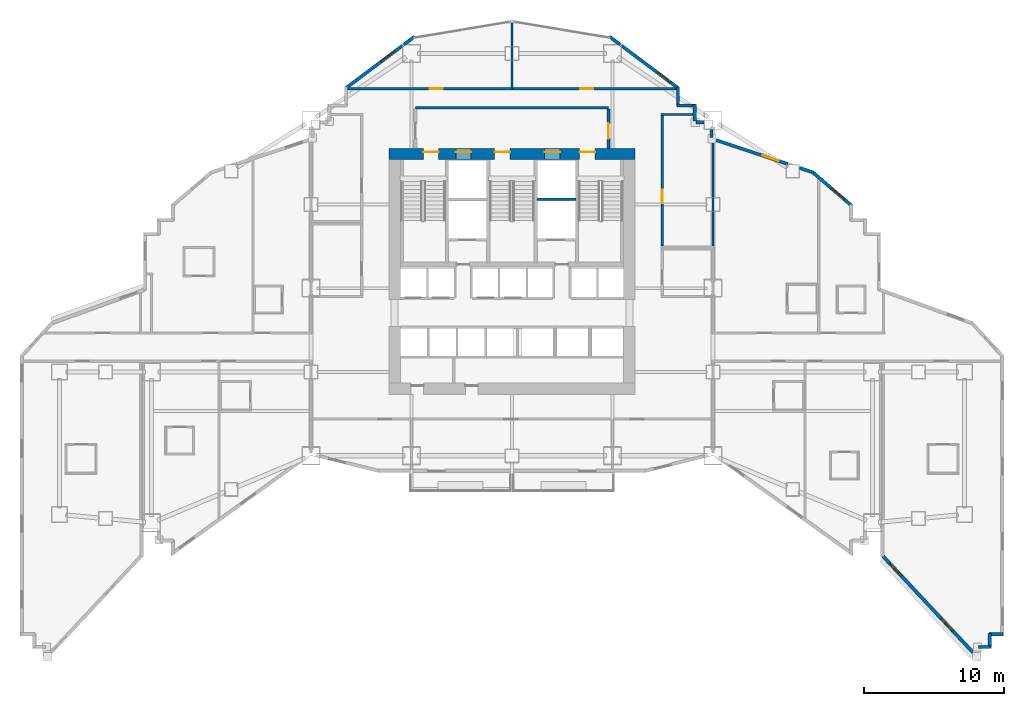
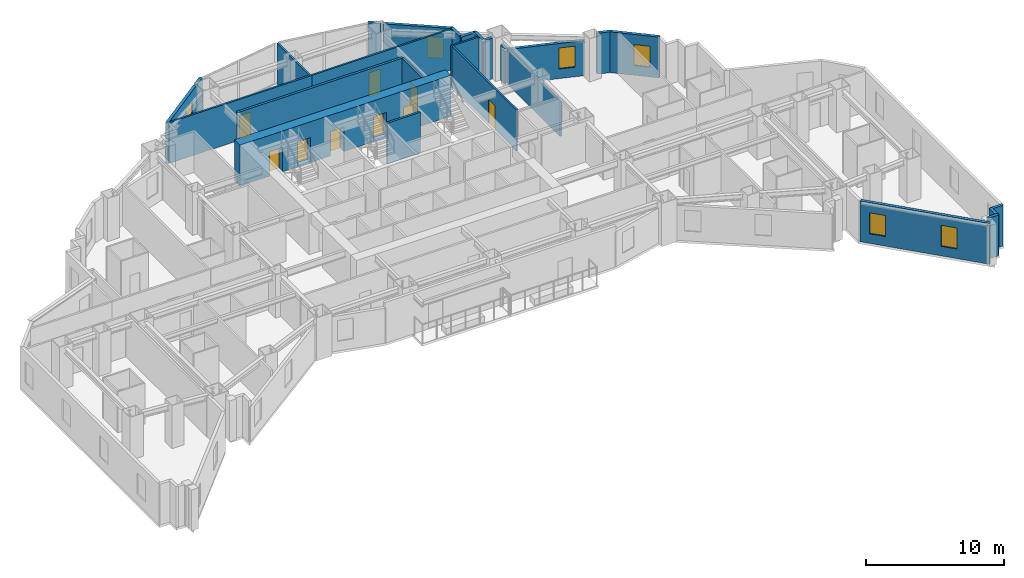
# One storey, part 11 of 17: 26 walls, 9 doors, 6 windows, 15 openings.
"""IFC4 building model written with IfcOpenShell, lengths in metres."""

from ifc_helpers import new_model, si_unit, direction, frame, frame_2d, origin, place, context, subcontext, project, spatial, rectangle, extrude, material, layer, layer_set, type_object, element, fill, save


model = new_model("IFC4")

# Units and contexts
model_context = context("Model", 3, precision=1e-05, world=origin(), true_north=direction((0.0, 1.0)))
body_context = subcontext(model_context, "Body", "Model", "MODEL_VIEW")
ifc_project = project(units=[si_unit("LENGTHUNIT", "METRE"), si_unit("AREAUNIT", "SQUARE_METRE"), si_unit("VOLUMEUNIT", "CUBIC_METRE"), si_unit("PLANEANGLEUNIT", "RADIAN"), si_unit("MASSUNIT", "GRAM", prefix="KILO")], contexts=[model_context])

# Site, building, storey
site_placement = place(None, origin())
site = spatial("IfcSite", under=ifc_project, at=site_placement, CompositionType="ELEMENT")
building_placement = place(site_placement, origin())
building = spatial("IfcBuilding", under=site, at=building_placement, Name="Haolan Belvedere Tower", CompositionType="ELEMENT")
storey_placement = place(building_placement, frame((0.0, 0.0, 27.800048828125)))
storey = spatial("IfcBuildingStorey", under=building, at=storey_placement, Name="L06", CompositionType="ELEMENT", Elevation=27.800048828125)

# Wall, openings, doors
ifc_material_1 = material(Name="Concrete C70/85", Category="concrete")
ifc_layer_1 = layer(ifc_material_1, 0.800048828125, Name="Concrete C70/85")
ifc_layer_set_1 = layer_set([ifc_layer_1], Name="Concrete C70/85")
wall_type_1 = type_object("IfcWallType", Name="WL-CORE-800", PredefinedType="SHEAR", material=ifc_layer_set_1)
wall_1_placement = place(storey_placement, frame((29.60009765625, 43.199951171875, 0.0), z_axis=(0.0, 0.0, 1.0), x_axis=(1.0, 0.0, 0.0)))
wall_1 = element("IfcWall", 1, at=wall_1_placement, inside=storey, type_object=wall_type_1, Name="L06 central core north shear wall", PredefinedType="SHEAR", context=body_context, shape_type="SweptSolid", body=[
    extrude(rectangle(XDim=17.599853515625, YDim=0.800048828125, at=frame_2d((8.7998046875, 0.0))), origin(), (0.0, 0.0, 1.0), 3.599853515625),
])
opening_1_placement = place(wall_1_placement, frame((2.449951171875, 0.0, 0.0)))
opening_1 = element("IfcOpeningElement", 2, at=opening_1_placement, cuts=wall_1, Name="Opening FD-03", PredefinedType="OPENING", context=body_context, shape_type="SweptSolid", body=[
    extrude(rectangle(XDim=1.10009765625, YDim=2.14990234375, at=frame_2d((0.550048828125, 1.074951171875))), frame((0.0, 0.409912109375, 0.0), z_axis=(0.0, -1.0, 0.0), x_axis=(1.0, 0.0, 0.0)), (0.0, 0.0, 1.0), 0.820068359375),
])
opening_2_placement = place(wall_1_placement, frame((7.56005859375, 0.0, 0.0)))
opening_2 = element("IfcOpeningElement", 3, at=opening_2_placement, cuts=wall_1, Name="Opening FD-03", PredefinedType="OPENING", context=body_context, shape_type="SweptSolid", body=[
    extrude(rectangle(XDim=1.10009765625, YDim=2.14990234375, at=frame_2d((0.550048828125, 1.074951171875))), frame((0.0, 0.409912109375, 0.0), z_axis=(0.0, -1.0, 0.0), x_axis=(1.0, 0.0, 0.0)), (0.0, 0.0, 1.0), 0.820068359375),
])
opening_3_placement = place(wall_1_placement, frame((13.64990234375, 0.0, 0.0)))
opening_3 = element("IfcOpeningElement", 4, at=opening_3_placement, cuts=wall_1, Name="Opening FD-03", PredefinedType="OPENING", context=body_context, shape_type="SweptSolid", body=[
    extrude(rectangle(XDim=1.10009765625, YDim=2.14990234375, at=frame_2d((0.550048828125, 1.074951171875))), frame((0.0, 0.409912109375, 0.0), z_axis=(0.0, -1.0, 0.0), x_axis=(1.0, 0.0, 0.0)), (0.0, 0.0, 1.0), 0.820068359375),
])
opening_4_placement = place(wall_1_placement, frame((4.780029296875, 0.0, 0.0)))
opening_4 = element("IfcOpeningElement", 5, at=opening_4_placement, cuts=wall_1, Name="Opening LD-01", PredefinedType="OPENING", context=body_context, shape_type="SweptSolid", body=[
    extrude(rectangle(XDim=1.10009765625, YDim=2.199951171875, at=frame_2d((0.550048828125, 1.10009765625))), frame((0.0, 0.409912109375, 0.0), z_axis=(0.0, -1.0, 0.0), x_axis=(1.0, 0.0, 0.0)), (0.0, 0.0, 1.0), 0.820068359375),
])
opening_5_placement = place(wall_1_placement, frame((11.139892578125, 0.0, 0.0)))
opening_5 = element("IfcOpeningElement", 6, at=opening_5_placement, cuts=wall_1, Name="Opening LD-01", PredefinedType="OPENING", context=body_context, shape_type="SweptSolid", body=[
    extrude(rectangle(XDim=1.10009765625, YDim=2.199951171875, at=frame_2d((0.550048828125, 1.10009765625))), frame((0.0, 0.409912109375, 0.0), z_axis=(0.0, -1.0, 0.0), x_axis=(1.0, 0.0, 0.0)), (0.0, 0.0, 1.0), 0.820068359375),
])
ifc_material_2 = material(Name="Galvanised fire-rated steel", Category="steel")
door_type_1 = type_object("IfcDoorType", Name="DR-FD90-1100", OperationType="NOTDEFINED", PredefinedType="DOOR", material=ifc_material_2)
door_1_placement = place(opening_1_placement, origin())
door_1 = element("IfcDoor", 7, at=door_1_placement, inside=storey, type_object=door_type_1, Name="L06 door CD-L06-ST1", OperationType="SINGLE_SWING_LEFT", OverallHeight=2.14990234375, OverallWidth=1.10009765625, PredefinedType="DOOR", context=body_context, shape_type="SweptSolid", body=[
    extrude(rectangle(XDim=1.10009765625, YDim=2.14990234375, at=frame_2d((0.550048828125, 1.074951171875))), frame((0.0, 0.18505859375, 0.0), z_axis=(0.0, -1.0, 0.0), x_axis=(1.0, 0.0, 0.0)), (0.0, 0.0, 1.0), 0.050048828125),
])
fill(opening_1, door_1)
door_2_placement = place(opening_2_placement, origin())
door_2 = element("IfcDoor", 8, at=door_2_placement, inside=storey, type_object=door_type_1, Name="L06 door CD-L06-ST3", OperationType="SINGLE_SWING_LEFT", OverallHeight=2.14990234375, OverallWidth=1.10009765625, PredefinedType="DOOR", context=body_context, shape_type="SweptSolid", body=[
    extrude(rectangle(XDim=1.10009765625, YDim=2.14990234375, at=frame_2d((0.550048828125, 1.074951171875))), frame((0.0, 0.18505859375, 0.0), z_axis=(0.0, -1.0, 0.0), x_axis=(1.0, 0.0, 0.0)), (0.0, 0.0, 1.0), 0.050048828125),
])
fill(opening_2, door_2)
door_3_placement = place(opening_3_placement, origin())
door_3 = element("IfcDoor", 9, at=door_3_placement, inside=storey, type_object=door_type_1, Name="L06 door CD-L06-ST2", OperationType="SINGLE_SWING_RIGHT", OverallHeight=2.14990234375, OverallWidth=1.10009765625, PredefinedType="DOOR", context=body_context, shape_type="SweptSolid", body=[
    extrude(rectangle(XDim=1.10009765625, YDim=2.14990234375, at=frame_2d((0.550048828125, 1.074951171875))), frame((0.0, 0.18505859375, 0.0), z_axis=(0.0, -1.0, 0.0), x_axis=(1.0, 0.0, 0.0)), (0.0, 0.0, 1.0), 0.050048828125),
])
fill(opening_3, door_3)
ifc_material_3 = material(Name="Brushed champagne stainless steel 316L", Category="steel")
door_type_2 = type_object("IfcDoorType", Name="DR-LIFT-1100", OperationType="SLIDING_TO_LEFT", PredefinedType="DOOR", material=ifc_material_3)
door_4_placement = place(opening_4_placement, origin())
door_4 = element("IfcDoor", 10, at=door_4_placement, inside=storey, type_object=door_type_2, Name="L06 door LD-L06-FF1", OperationType="SLIDING_TO_LEFT", OverallHeight=2.199951171875, OverallWidth=1.10009765625, PredefinedType="DOOR", context=body_context, shape_type="SweptSolid", body=[
    extrude(rectangle(XDim=1.10009765625, YDim=2.199951171875, at=frame_2d((0.550048828125, 1.10009765625))), frame((0.0, 0.18505859375, 0.0), z_axis=(0.0, -1.0, 0.0), x_axis=(1.0, 0.0, 0.0)), (0.0, 0.0, 1.0), 0.050048828125),
])
fill(opening_4, door_4)
door_5_placement = place(opening_5_placement, origin())
door_5 = element("IfcDoor", 11, at=door_5_placement, inside=storey, type_object=door_type_2, Name="L06 door LD-L06-FF2", OperationType="SLIDING_TO_LEFT", OverallHeight=2.199951171875, OverallWidth=1.10009765625, PredefinedType="DOOR", context=body_context, shape_type="SweptSolid", body=[
    extrude(rectangle(XDim=1.10009765625, YDim=2.199951171875, at=frame_2d((0.550048828125, 1.10009765625))), frame((0.0, 0.18505859375, 0.0), z_axis=(0.0, -1.0, 0.0), x_axis=(1.0, 0.0, 0.0)), (0.0, 0.0, 1.0), 0.050048828125),
])
fill(opening_5, door_5)

# Wall, openings, windows
ifc_material_4 = material(Name="Precast concrete C40/50", Category="concrete")
ifc_layer_2 = layer(ifc_material_4, 0.239990234375, Name="Precast concrete C40/50")
ifc_layer_set_2 = layer_set([ifc_layer_2], Name="Precast concrete C40/50")
wall_type_2 = type_object("IfcWallType", Name="WL-EXT-240", PredefinedType="SOLIDWALL", material=ifc_layer_set_2)
wall_2_placement = place(storey_placement, frame((64.96435546875, 14.39990234375, 0.0), z_axis=(0.0, 0.0, 1.0), x_axis=(0.682924719985, -0.730488758869, 0.0)))
wall_2 = element("IfcWall", 12, at=wall_2_placement, inside=storey, type_object=wall_type_2, Name="L06 pale-metal exterior spandrel wall 21.1", PredefinedType="SOLIDWALL", context=body_context, shape_type="SweptSolid", body=[
    extrude(rectangle(XDim=9.778076171875, YDim=0.239990234375, at=frame_2d((4.88916015625, 0.0))), origin(), (0.0, 0.0, 1.0), 3.599853515625),
])
opening_6_placement = place(wall_2_placement, frame((0.699951171875, 0.0, 0.85009765625)))
opening_6 = element("IfcOpeningElement", 13, at=opening_6_placement, cuts=wall_2, Name="Opening W-01", PredefinedType="OPENING", context=body_context, shape_type="SweptSolid", body=[
    extrude(rectangle(XDim=1.199951171875, YDim=1.85009765625, at=frame_2d((0.60009765625, 0.925048828125))), frame((0.0, 0.1298828125, 0.0), z_axis=(0.0, -1.0, 0.0), x_axis=(1.0, 0.0, 0.0)), (0.0, 0.0, 1.0), 0.260009765625),
])
opening_7_placement = place(wall_2_placement, frame((6.10009765625, 0.0, 0.85009765625)))
opening_7 = element("IfcOpeningElement", 14, at=opening_7_placement, cuts=wall_2, Name="Opening W-01", PredefinedType="OPENING", context=body_context, shape_type="SweptSolid", body=[
    extrude(rectangle(XDim=1.199951171875, YDim=1.85009765625, at=frame_2d((0.60009765625, 0.925048828125))), frame((0.0, 0.1298828125, 0.0), z_axis=(0.0, -1.0, 0.0), x_axis=(1.0, 0.0, 0.0)), (0.0, 0.0, 1.0), 0.260009765625),
])
ifc_material_5 = material(Name="Anodised aluminium 6063-T6 and Low-E glass", Category="aluminium")
window_type = type_object("IfcWindowType", Name="WN-DECO-Z1", PartitioningType="SINGLE_PANEL", PredefinedType="WINDOW", material=ifc_material_5)
window_1_placement = place(opening_6_placement, origin())
window_1 = element("IfcWindow", 15, at=window_1_placement, inside=storey, type_object=window_type, Name="L06 Art Deco chevron window 1", OverallHeight=1.85009765625, OverallWidth=1.199951171875, PartitioningType="SINGLE_PANEL", PredefinedType="WINDOW", context=body_context, shape_type="SweptSolid", body=[
    extrude(rectangle(XDim=1.199951171875, YDim=1.85009765625, at=frame_2d((0.60009765625, 0.925048828125))), frame((0.0, 0.030029296875, 0.0), z_axis=(0.0, -1.0, 0.0), x_axis=(1.0, 0.0, 0.0)), (0.0, 0.0, 1.0), 0.06005859375),
])
fill(opening_6, window_1)
window_2_placement = place(opening_7_placement, origin())
window_2 = element("IfcWindow", 16, at=window_2_placement, inside=storey, type_object=window_type, Name="L06 Art Deco chevron window 2", OverallHeight=1.85009765625, OverallWidth=1.199951171875, PartitioningType="SINGLE_PANEL", PredefinedType="WINDOW", context=body_context, shape_type="SweptSolid", body=[
    extrude(rectangle(XDim=1.199951171875, YDim=1.85009765625, at=frame_2d((0.60009765625, 0.925048828125))), frame((0.0, 0.030029296875, 0.0), z_axis=(0.0, -1.0, 0.0), x_axis=(1.0, 0.0, 0.0)), (0.0, 0.0, 1.0), 0.06005859375),
])
fill(opening_7, window_2)

# Walls
wall_3_placement = place(storey_placement, frame((71.784912109375, 7.910888671875, 0.0), z_axis=(0.0, 0.0, 1.0), x_axis=(1.0, 0.0, 0.0)))
element("IfcWall", 17, at=wall_3_placement, inside=storey, type_object=wall_type_2, Name="L06 pale-metal exterior spandrel wall 23.1", PredefinedType="SOLIDWALL", context=body_context, shape_type="SweptSolid", body=[
    extrude(rectangle(XDim=0.8701171875, YDim=0.239990234375, at=frame_2d((0.43505859375, 0.0))), origin(), (0.0, 0.0, 1.0), 3.599853515625),
])
for number, where, z_axis, x_axis, name in (
    (18, (72.60009765625, 7.85595703125, 0.0), (0.0, 0.0, 1.0), (0.0, 1.0, 0.0), "L06 pale-metal exterior spandrel wall 24.1"),
    (19, (72.544921875, 8.81103515625, 0.0), (0.0, 0.0, 1.0), (1.0, 0.0, 0.0), "L06 pale-metal exterior spandrel wall 25.1"),
):
    element("IfcWall", number, at=place(storey_placement, frame(where, z_axis=z_axis, x_axis=x_axis)), inside=storey, type_object=wall_type_2, Name=name, PredefinedType="SOLIDWALL", context=body_context, shape_type="SweptSolid", body=[
        extrude(rectangle(XDim=1.010009765625, YDim=0.239990234375, at=frame_2d((0.5048828125, 0.0))), origin(), (0.0, 0.0, 1.0), 3.599853515625),
    ])

# Wall, opening, window
wall_4_placement = place(storey_placement, frame((62.7216796875, 39.509033203125, 0.0), z_axis=(0.0, 0.0, 1.0), x_axis=(-0.759247334792, 0.650802185469, 0.0)))
wall_4 = element("IfcWall", 20, at=wall_4_placement, inside=storey, type_object=wall_type_2, Name="L06 pale-metal exterior spandrel wall 34.1", PredefinedType="SOLIDWALL", context=body_context, shape_type="SweptSolid", body=[
    extrude(rectangle(XDim=3.71923828125, YDim=0.239990234375, at=frame_2d((1.859619140625, 0.0))), origin(), (0.0, 0.0, 1.0), 3.599853515625),
])
opening_8_placement = place(wall_4_placement, frame((0.699951171875, 0.0, 0.85009765625)))
opening_8 = element("IfcOpeningElement", 21, at=opening_8_placement, cuts=wall_4, Name="Opening W-01", PredefinedType="OPENING", context=body_context, shape_type="SweptSolid", body=[
    extrude(rectangle(XDim=1.199951171875, YDim=1.85009765625, at=frame_2d((0.60009765625, 0.925048828125))), frame((0.0, 0.1298828125, 0.0), z_axis=(0.0, -1.0, 0.0), x_axis=(1.0, 0.0, 0.0)), (0.0, 0.0, 1.0), 0.260009765625),
])
window_3_placement = place(opening_8_placement, origin())
window_3 = element("IfcWindow", 22, at=window_3_placement, inside=storey, type_object=window_type, Name="L06 Art Deco chevron window 1", OverallHeight=1.85009765625, OverallWidth=1.199951171875, PartitioningType="SINGLE_PANEL", PredefinedType="WINDOW", context=body_context, shape_type="SweptSolid", body=[
    extrude(rectangle(XDim=1.199951171875, YDim=1.85009765625, at=frame_2d((0.60009765625, 0.925048828125))), frame((0.0, 0.030029296875, 0.0), z_axis=(0.0, -1.0, 0.0), x_axis=(1.0, 0.0, 0.0)), (0.0, 0.0, 1.0), 0.06005859375),
])
fill(opening_8, window_3)

# Wall
wall_5_placement = place(storey_placement, frame((59.991943359375, 41.876220703125, 0.0), z_axis=(0.0, 0.0, 1.0), x_axis=(-0.948706457285, 0.316158279832, 0.0)))
element("IfcWall", 23, at=wall_5_placement, inside=storey, type_object=wall_type_2, Name="L06 pale-metal exterior spandrel wall 35.1", PredefinedType="SOLIDWALL", context=body_context, shape_type="SweptSolid", body=[
    extrude(rectangle(XDim=1.053955078125, YDim=0.239990234375, at=frame_2d((0.52685546875, 0.0))), origin(), (0.0, 0.0, 1.0), 3.599853515625),
])

# Wall, opening, window
wall_6_placement = place(storey_placement, frame((58.14453125, 42.491943359375, 0.0), z_axis=(0.0, 0.0, 1.0), x_axis=(-0.948683298051, 0.316227766017, 0.0)))
wall_6 = element("IfcWall", 24, at=wall_6_placement, inside=storey, type_object=wall_type_2, Name="L06 pale-metal exterior spandrel wall 35.2", PredefinedType="SOLIDWALL", context=body_context, shape_type="SweptSolid", body=[
    extrude(rectangle(XDim=5.67529296875, YDim=0.239990234375, at=frame_2d((2.837646484375, 0.0))), origin(), (0.0, 0.0, 1.0), 3.096923828125),
])
opening_9_placement = place(wall_6_placement, frame((0.699951171875, 0.0, 0.85009765625)))
opening_9 = element("IfcOpeningElement", 25, at=opening_9_placement, cuts=wall_6, Name="Opening W-01", PredefinedType="OPENING", context=body_context, shape_type="SweptSolid", body=[
    extrude(rectangle(XDim=1.199951171875, YDim=1.85009765625, at=frame_2d((0.60009765625, 0.925048828125))), frame((0.0, 0.1298828125, 0.0), z_axis=(0.0, -1.0, 0.0), x_axis=(1.0, 0.0, 0.0)), (0.0, 0.0, 1.0), 0.260009765625),
])
window_4_placement = place(opening_9_placement, origin())
window_4 = element("IfcWindow", 26, at=window_4_placement, inside=storey, type_object=window_type, Name="L06 Art Deco chevron window 1", OverallHeight=1.85009765625, OverallWidth=1.199951171875, PartitioningType="SINGLE_PANEL", PredefinedType="WINDOW", context=body_context, shape_type="SweptSolid", body=[
    extrude(rectangle(XDim=1.199951171875, YDim=1.85009765625, at=frame_2d((0.60009765625, 0.925048828125))), frame((0.0, 0.030029296875, 0.0), z_axis=(0.0, -1.0, 0.0), x_axis=(1.0, 0.0, 0.0)), (0.0, 0.0, 1.0), 0.06005859375),
])
fill(opening_9, window_4)

# Walls
wall_7_placement = place(storey_placement, frame((52.679931640625, 44.3984375, 0.0), z_axis=(0.0, 0.0, 1.0), x_axis=(0.0, 1.0, 0.0)))
element("IfcWall", 27, at=wall_7_placement, inside=storey, type_object=wall_type_2, Name="L06 pale-metal exterior spandrel wall 36.1", PredefinedType="SOLIDWALL", context=body_context, shape_type="SweptSolid", body=[
    extrude(rectangle(XDim=0.5595703125, YDim=0.239990234375, at=frame_2d((0.27978515625, 0.0))), origin(), (0.0, 0.0, 1.0), 3.096923828125),
])
wall_8_placement = place(storey_placement, frame((52.157958984375, 45.47998046875, 0.0), z_axis=(0.0, 0.0, 1.0), x_axis=(-1.0, 0.0, 0.0)))
element("IfcWall", 28, at=wall_8_placement, inside=storey, type_object=wall_type_2, Name="L06 pale-metal exterior spandrel wall 37.1", PredefinedType="SOLIDWALL", context=body_context, shape_type="SweptSolid", body=[
    extrude(rectangle(XDim=0.593017578125, YDim=0.239990234375, at=frame_2d((0.29638671875, 0.0))), origin(), (0.0, 0.0, 1.0), 3.599853515625),
])
wall_9_placement = place(storey_placement, frame((51.47998046875, 45.56494140625, 0.0), z_axis=(0.0, 0.0, 1.0), x_axis=(0.0, 1.0, 0.0)))
element("IfcWall", 29, at=wall_9_placement, inside=storey, type_object=wall_type_2, Name="L06 pale-metal exterior spandrel wall 38.1", PredefinedType="SOLIDWALL", context=body_context, shape_type="SweptSolid", body=[
    extrude(rectangle(XDim=1.170166015625, YDim=0.239990234375, at=frame_2d((0.5849609375, 0.0))), origin(), (0.0, 0.0, 1.0), 3.599853515625),
])
wall_10_placement = place(storey_placement, frame((51.534912109375, 46.679931640625, 0.0), z_axis=(0.0, 0.0, 1.0), x_axis=(-1.0, 0.0, 0.0)))
element("IfcWall", 30, at=wall_10_placement, inside=storey, type_object=wall_type_2, Name="L06 pale-metal exterior spandrel wall 39.1", PredefinedType="SOLIDWALL", context=body_context, shape_type="SweptSolid", body=[
    extrude(rectangle(XDim=1.309814453125, YDim=0.239990234375, at=frame_2d((0.65478515625, 0.0))), origin(), (0.0, 0.0, 1.0), 3.599853515625),
])
wall_11_placement = place(storey_placement, frame((50.280029296875, 46.625, 0.0), z_axis=(0.0, 0.0, 1.0), x_axis=(0.0, 1.0, 0.0)))
element("IfcWall", 31, at=wall_11_placement, inside=storey, type_object=wall_type_2, Name="L06 pale-metal exterior spandrel wall 40.1", PredefinedType="SOLIDWALL", context=body_context, shape_type="SweptSolid", body=[
    extrude(rectangle(XDim=1.3701171875, YDim=0.239990234375, at=frame_2d((0.68505859375, 0.0))), origin(), (0.0, 0.0, 1.0), 3.599853515625),
])

# Wall, opening, window
wall_12_placement = place(storey_placement, frame((50.323974609375, 47.906982421875, 0.0), z_axis=(0.0, 0.0, 1.0), x_axis=(-0.8, 0.6, 0.0)))
wall_12 = element("IfcWall", 32, at=wall_12_placement, inside=storey, type_object=wall_type_2, Name="L06 pale-metal exterior spandrel wall 41.1", PredefinedType="SOLIDWALL", context=body_context, shape_type="SweptSolid", body=[
    extrude(rectangle(XDim=5.1025390625, YDim=0.239990234375, at=frame_2d((2.55126953125, 0.0))), origin(), (0.0, 0.0, 1.0), 3.599853515625),
])
opening_10_placement = place(wall_12_placement, frame((0.699951171875, 0.0, 0.85009765625)))
opening_10 = element("IfcOpeningElement", 33, at=opening_10_placement, cuts=wall_12, Name="Opening W-01", PredefinedType="OPENING", context=body_context, shape_type="SweptSolid", body=[
    extrude(rectangle(XDim=1.199951171875, YDim=1.85009765625, at=frame_2d((0.60009765625, 0.925048828125))), frame((0.0, 0.1298828125, 0.0), z_axis=(0.0, -1.0, 0.0), x_axis=(1.0, 0.0, 0.0)), (0.0, 0.0, 1.0), 0.260009765625),
])
window_5_placement = place(opening_10_placement, origin())
window_5 = element("IfcWindow", 34, at=window_5_placement, inside=storey, type_object=window_type, Name="L06 Art Deco chevron window 1", OverallHeight=1.85009765625, OverallWidth=1.199951171875, PartitioningType="SINGLE_PANEL", PredefinedType="WINDOW", context=body_context, shape_type="SweptSolid", body=[
    extrude(rectangle(XDim=1.199951171875, YDim=1.85009765625, at=frame_2d((0.60009765625, 0.925048828125))), frame((0.0, 0.030029296875, 0.0), z_axis=(0.0, -1.0, 0.0), x_axis=(1.0, 0.0, 0.0)), (0.0, 0.0, 1.0), 0.06005859375),
])
fill(opening_10, window_5)

# Walls
wall_13_placement = place(storey_placement, frame((46.143798828125, 51.0419921875, 0.0), z_axis=(0.0, 0.0, 1.0), x_axis=(-0.8, 0.6, 0.0)))
element("IfcWall", 35, at=wall_13_placement, inside=storey, type_object=wall_type_2, Name="L06 pale-metal exterior spandrel wall 41.2", PredefinedType="SOLIDWALL", context=body_context, shape_type="SweptSolid", body=[
    extrude(rectangle(XDim=0.965576171875, YDim=0.239990234375, at=frame_2d((0.48291015625, 0.0))), origin(), (0.0, 0.0, 1.0), 3.599853515625),
])
wall_14_placement = place(storey_placement, frame((31.4287109375, 51.621337890625, 0.0), z_axis=(0.0, 0.0, 1.0), x_axis=(-0.800090996409, -0.599878652284, 0.0)))
element("IfcWall", 36, at=wall_14_placement, inside=storey, type_object=wall_type_2, Name="L06 pale-metal exterior spandrel wall 44.1", PredefinedType="SOLIDWALL", context=body_context, shape_type="SweptSolid", body=[
    extrude(rectangle(XDim=0.9658203125, YDim=0.239990234375, at=frame_2d((0.48291015625, 0.0))), origin(), (0.0, 0.0, 1.0), 3.599853515625),
])

# Wall, opening, window
wall_15_placement = place(storey_placement, frame((30.55810546875, 50.968505859375, 0.0), z_axis=(0.0, 0.0, 1.0), x_axis=(-0.8, -0.6, 0.0)))
wall_15 = element("IfcWall", 37, at=wall_15_placement, inside=storey, type_object=wall_type_2, Name="L06 pale-metal exterior spandrel wall 44.2", PredefinedType="SOLIDWALL", context=body_context, shape_type="SweptSolid", body=[
    extrude(rectangle(XDim=5.1025390625, YDim=0.239990234375, at=frame_2d((2.55126953125, 0.0))), origin(), (0.0, 0.0, 1.0), 3.599853515625),
])
opening_11_placement = place(wall_15_placement, frame((0.699951171875, 0.0, 0.85009765625)))
opening_11 = element("IfcOpeningElement", 38, at=opening_11_placement, cuts=wall_15, Name="Opening W-01", PredefinedType="OPENING", context=body_context, shape_type="SweptSolid", body=[
    extrude(rectangle(XDim=1.199951171875, YDim=1.85009765625, at=frame_2d((0.60009765625, 0.925048828125))), frame((0.0, 0.1298828125, 0.0), z_axis=(0.0, -1.0, 0.0), x_axis=(1.0, 0.0, 0.0)), (0.0, 0.0, 1.0), 0.260009765625),
])
window_6_placement = place(opening_11_placement, origin())
window_6 = element("IfcWindow", 39, at=window_6_placement, inside=storey, type_object=window_type, Name="L06 Art Deco chevron window 1", OverallHeight=1.85009765625, OverallWidth=1.199951171875, PartitioningType="SINGLE_PANEL", PredefinedType="WINDOW", context=body_context, shape_type="SweptSolid", body=[
    extrude(rectangle(XDim=1.199951171875, YDim=1.85009765625, at=frame_2d((0.60009765625, 0.925048828125))), frame((0.0, 0.030029296875, 0.0), z_axis=(0.0, -1.0, 0.0), x_axis=(1.0, 0.0, 0.0)), (0.0, 0.0, 1.0), 0.06005859375),
])
fill(opening_11, window_6)

# Wall
ifc_material_6 = material(Name="Concrete C40/50", Category="concrete")
ifc_layer_3 = layer(ifc_material_6, 0.199951171875, Name="Concrete C40/50")
ifc_layer_set_3 = layer_set([ifc_layer_3], Name="Concrete C40/50")
wall_type_3 = type_object("IfcWallType", Name="WL-FIRE-200", PredefinedType="SOLIDWALL", material=ifc_layer_set_3)
wall_16_placement = place(storey_placement, frame((31.5, 46.52001953125, 0.0), z_axis=(0.0, 0.0, 1.0), x_axis=(1.0, 0.0, 0.0)))
element("IfcWall", 40, at=wall_16_placement, inside=storey, type_object=wall_type_3, Name="L06 interior partition IW-L06-FFL-N", PredefinedType="SOLIDWALL", context=body_context, shape_type="SweptSolid", body=[
    extrude(rectangle(XDim=13.800048828125, YDim=0.199951171875, at=frame_2d((6.89990234375, 0.0))), origin(), (0.0, 0.0, 1.0), 3.599853515625),
])

# Wall, opening, door
wall_17_placement = place(storey_placement, frame((45.300048828125, 43.60009765625, 0.0), z_axis=(0.0, 0.0, 1.0), x_axis=(0.0, 1.0, 0.0)))
wall_17 = element("IfcWall", 41, at=wall_17_placement, inside=storey, type_object=wall_type_3, Name="L06 interior partition IW-L06-FFL-E", PredefinedType="SOLIDWALL", context=body_context, shape_type="SweptSolid", body=[
    extrude(rectangle(XDim=2.8349609375, YDim=0.199951171875, at=frame_2d((1.41748046875, 0.0))), origin(), (0.0, 0.0, 1.0), 3.599853515625),
])
opening_12_placement = place(wall_17_placement, frame((0.699951171875, 0.0, 0.0)))
opening_12 = element("IfcOpeningElement", 42, at=opening_12_placement, cuts=wall_17, Name="Opening FD-03", PredefinedType="OPENING", context=body_context, shape_type="SweptSolid", body=[
    extrude(rectangle(XDim=1.10009765625, YDim=2.14990234375, at=frame_2d((0.550048828125, 1.074951171875))), frame((0.0, 0.10986328125, 0.0), z_axis=(0.0, -1.0, 0.0), x_axis=(1.0, 0.0, 0.0)), (0.0, 0.0, 1.0), 0.219970703125),
])
door_6_placement = place(opening_12_placement, origin())
door_6 = element("IfcDoor", 43, at=door_6_placement, inside=storey, type_object=door_type_1, Name="L06 door ID-L06-FFL-DE", OperationType="SINGLE_SWING_RIGHT", OverallHeight=2.14990234375, OverallWidth=1.10009765625, PredefinedType="DOOR", context=body_context, shape_type="SweptSolid", body=[
    extrude(rectangle(XDim=1.10009765625, YDim=2.14990234375, at=frame_2d((0.550048828125, 1.074951171875))), frame((0.0, 0.02490234375, 0.0), z_axis=(0.0, -1.0, 0.0), x_axis=(1.0, 0.0, 0.0)), (0.0, 0.0, 1.0), 0.050048828125),
])
fill(opening_12, door_6)

# Wall
ifc_material_7 = material(Name="Double gypsum acoustic stud partition", Category="masonry")
ifc_layer_4 = layer(ifc_material_7, 0.14990234375, Name="Double gypsum acoustic stud partition")
ifc_layer_set_4 = layer_set([ifc_layer_4], Name="Double gypsum acoustic stud partition")
wall_type_4 = type_object("IfcWallType", Name="WL-PART-150", PredefinedType="PARTITIONING", material=ifc_layer_set_4)
wall_18_placement = place(storey_placement, frame((49.080078125, 46.02001953125, 0.0), z_axis=(0.0, 0.0, 1.0), x_axis=(1.0, 0.0, 0.0)))
element("IfcWall", 44, at=wall_18_placement, inside=storey, type_object=wall_type_4, Name="L06 interior partition IW-L06-SAL-N", PredefinedType="PARTITIONING", context=body_context, shape_type="SweptSolid", body=[
    extrude(rectangle(XDim=2.294921875, YDim=0.14990234375, at=frame_2d((1.1474609375, 0.0))), origin(), (0.0, 0.0, 1.0), 3.599853515625),
])

# Wall, opening, door
wall_19_placement = place(storey_placement, frame((49.159912109375, 36.6201171875, 0.0), z_axis=(0.0, 0.0, 1.0), x_axis=(0.0, 1.0, 0.0)))
wall_19 = element("IfcWall", 45, at=wall_19_placement, inside=storey, type_object=wall_type_4, Name="L06 interior partition IW-L06-SAL-W", PredefinedType="PARTITIONING", context=body_context, shape_type="SweptSolid", body=[
    extrude(rectangle(XDim=9.33984375, YDim=0.14990234375, at=frame_2d((4.669921875, 0.0))), origin(), (0.0, 0.0, 1.0), 3.599853515625),
])
opening_13_placement = place(wall_19_placement, frame((3.06005859375, 0.0, 0.0)))
opening_13 = element("IfcOpeningElement", 46, at=opening_13_placement, cuts=wall_19, Name="Opening ID-03", PredefinedType="OPENING", context=body_context, shape_type="SweptSolid", body=[
    extrude(rectangle(XDim=0.949951171875, YDim=2.1201171875, at=frame_2d((0.47509765625, 1.06005859375))), frame((0.0, 0.0849609375, 0.0), z_axis=(0.0, -1.0, 0.0), x_axis=(1.0, 0.0, 0.0)), (0.0, 0.0, 1.0), 0.169921875),
])
ifc_material_8 = material(Name="Painted solid-core timber", Category="wood")
door_type_3 = type_object("IfcDoorType", Name="DR-INT-950", OperationType="NOTDEFINED", PredefinedType="DOOR", material=ifc_material_8)
door_7_placement = place(opening_13_placement, origin())
door_7 = element("IfcDoor", 47, at=door_7_placement, inside=storey, type_object=door_type_3, Name="L06 door ID-L06-SAL", OperationType="SINGLE_SWING_LEFT", OverallHeight=2.1201171875, OverallWidth=0.949951171875, PredefinedType="DOOR", context=body_context, shape_type="SweptSolid", body=[
    extrude(rectangle(XDim=0.949951171875, YDim=2.1201171875, at=frame_2d((0.47509765625, 1.06005859375))), frame((0.0, 0.02490234375, 0.0), z_axis=(0.0, -1.0, 0.0), x_axis=(1.0, 0.0, 0.0)), (0.0, 0.0, 1.0), 0.050048828125),
])
fill(opening_13, door_7)

# Wall
wall_20_placement = place(storey_placement, frame((52.800048828125, 36.6201171875, 0.0), z_axis=(0.0, 0.0, 1.0), x_axis=(0.0, 1.0, 0.0)))
element("IfcWall", 48, at=wall_20_placement, inside=storey, type_object=wall_type_4, Name="L06 interior partition IW-L06-SAL-E", PredefinedType="PARTITIONING", context=body_context, shape_type="SweptSolid", body=[
    extrude(rectangle(XDim=7.542724609375, YDim=0.14990234375, at=frame_2d((3.771484375, 0.0))), origin(), (0.0, 0.0, 1.0), 3.096923828125),
])

# Wall, opening, door
wall_21_placement = place(storey_placement, frame((26.625, 47.8798828125, 0.0), z_axis=(0.0, 0.0, 1.0), x_axis=(1.0, 0.0, 0.0)))
wall_21 = element("IfcWall", 49, at=wall_21_placement, inside=storey, type_object=wall_type_4, Name="L06 interior partition IW-L06-KN1-S", PredefinedType="PARTITIONING", context=body_context, shape_type="SweptSolid", body=[
    extrude(rectangle(XDim=11.85498046875, YDim=0.14990234375, at=frame_2d((5.927490234375, 0.0))), origin(), (0.0, 0.0, 1.0), 3.599853515625),
])
opening_14_placement = place(wall_21_placement, frame((5.8701171875, 0.0, 0.0)))
opening_14 = element("IfcOpeningElement", 50, at=opening_14_placement, cuts=wall_21, Name="Opening ID-03", PredefinedType="OPENING", context=body_context, shape_type="SweptSolid", body=[
    extrude(rectangle(XDim=0.949951171875, YDim=2.1201171875, at=frame_2d((0.47509765625, 1.06005859375))), frame((0.0, 0.0849609375, 0.0), z_axis=(0.0, -1.0, 0.0), x_axis=(1.0, 0.0, 0.0)), (0.0, 0.0, 1.0), 0.169921875),
])
door_8_placement = place(opening_14_placement, origin())
door_8 = element("IfcDoor", 51, at=door_8_placement, inside=storey, type_object=door_type_3, Name="L06 door ID-L06-KN1", OperationType="SINGLE_SWING_LEFT", OverallHeight=2.1201171875, OverallWidth=0.949951171875, PredefinedType="DOOR", context=body_context, shape_type="SweptSolid", body=[
    extrude(rectangle(XDim=0.949951171875, YDim=2.1201171875, at=frame_2d((0.47509765625, 1.06005859375))), frame((0.0, 0.02490234375, 0.0), z_axis=(0.0, -1.0, 0.0), x_axis=(1.0, 0.0, 0.0)), (0.0, 0.0, 1.0), 0.050048828125),
])
fill(opening_14, door_8)

# Wall
wall_22_placement = place(storey_placement, frame((38.39990234375, 47.93994140625, 0.0), z_axis=(0.0, 0.0, 1.0), x_axis=(0.0, 1.0, 0.0)))
element("IfcWall", 52, at=wall_22_placement, inside=storey, type_object=wall_type_4, Name="L06 interior partition IW-L06-KN1-E", PredefinedType="PARTITIONING", context=body_context, shape_type="SweptSolid", body=[
    extrude(rectangle(XDim=4.645263671875, YDim=0.14990234375, at=frame_2d((2.32275390625, 0.0))), origin(), (0.0, 0.0, 1.0), 3.599853515625),
])

# Wall, opening, door
wall_23_placement = place(storey_placement, frame((38.48193359375, 47.8798828125, 0.0), z_axis=(0.0, 0.0, 1.0), x_axis=(1.0, 0.0, 0.0)))
wall_23 = element("IfcWall", 53, at=wall_23_placement, inside=storey, type_object=wall_type_4, Name="L06 interior partition IW-L06-KN2-S", PredefinedType="PARTITIONING", context=body_context, shape_type="SweptSolid", body=[
    extrude(rectangle(XDim=11.693115234375, YDim=0.14990234375, at=frame_2d((5.8466796875, 0.0))), origin(), (0.0, 0.0, 1.0), 3.599853515625),
])
opening_15_placement = place(wall_23_placement, frame((4.79296875, 0.0, 0.0)))
opening_15 = element("IfcOpeningElement", 54, at=opening_15_placement, cuts=wall_23, Name="Opening ID-03", PredefinedType="OPENING", context=body_context, shape_type="SweptSolid", body=[
    extrude(rectangle(XDim=0.949951171875, YDim=2.1201171875, at=frame_2d((0.47509765625, 1.06005859375))), frame((0.0, 0.0849609375, 0.0), z_axis=(0.0, -1.0, 0.0), x_axis=(1.0, 0.0, 0.0)), (0.0, 0.0, 1.0), 0.169921875),
])
door_9_placement = place(opening_15_placement, origin())
door_9 = element("IfcDoor", 55, at=door_9_placement, inside=storey, type_object=door_type_3, Name="L06 door ID-L06-KN2", OperationType="SINGLE_SWING_RIGHT", OverallHeight=2.1201171875, OverallWidth=0.949951171875, PredefinedType="DOOR", context=body_context, shape_type="SweptSolid", body=[
    extrude(rectangle(XDim=0.949951171875, YDim=2.1201171875, at=frame_2d((0.47509765625, 1.06005859375))), frame((0.0, 0.02490234375, 0.0), z_axis=(0.0, -1.0, 0.0), x_axis=(1.0, 0.0, 0.0)), (0.0, 0.0, 1.0), 0.050048828125),
])
fill(opening_15, door_9)

# Wall
ifc_layer_5 = layer(ifc_material_4, 0.179931640625, Name="Precast concrete C40/50")
ifc_layer_set_5 = layer_set([ifc_layer_5], Name="Precast concrete C40/50")
wall_type_5 = type_object("IfcWallType", Name="WL-SHAFT-180", PredefinedType="SOLIDWALL", material=ifc_layer_set_5)
wall_24_placement = place(storey_placement, frame((40.195068359375, 39.949951171875, 0.0), z_axis=(0.0, 0.0, 1.0), x_axis=(1.0, 0.0, 0.0)))
element("IfcWall", 56, at=wall_24_placement, inside=storey, type_object=wall_type_5, Name="L06 interior partition IW-L06-FF2-S", PredefinedType="SOLIDWALL", context=body_context, shape_type="SweptSolid", body=[
    extrude(rectangle(XDim=2.77001953125, YDim=0.179931640625, at=frame_2d((1.385009765625, 0.0))), origin(), (0.0, 0.0, 1.0), 3.599853515625),
])

save(model, "model.ifc")
